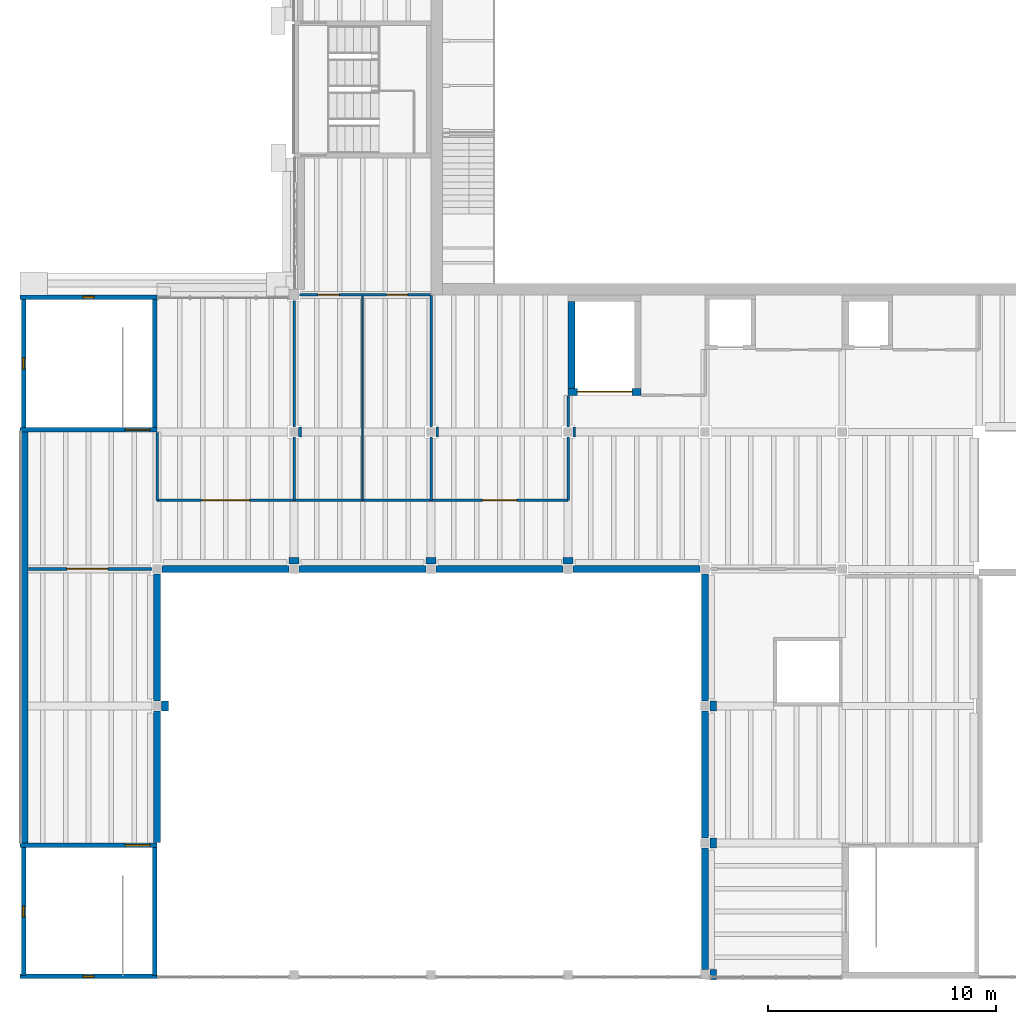
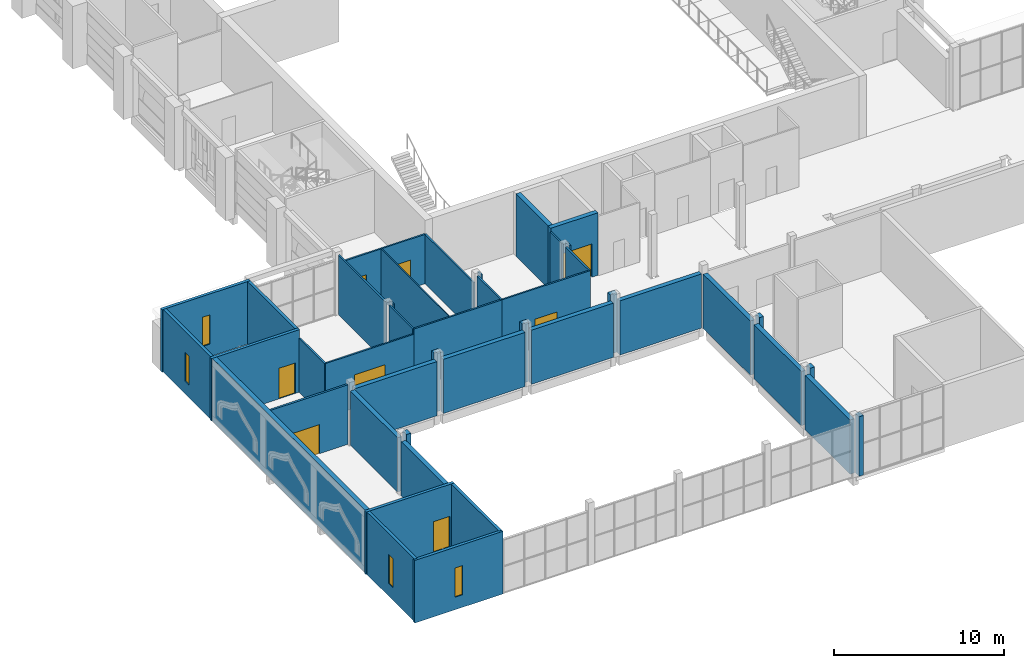
# One storey, part 25 of 70: 43 walls, 8 doors, 4 windows, 12 openings.
"""IFC4 building model written with IfcOpenShell, lengths in metres."""

from ifc_helpers import new_model, si_unit, direction, frame, frame_2d, origin, place, context, subcontext, project, spatial, rectangle, extrude, material, layer, layer_set, type_object, element, fill, save


model = new_model("IFC4")

# Units and contexts
model_context = context("Model", 3, precision=1e-05, world=origin(), true_north=direction((0.0, 1.0)))
body_context = subcontext(model_context, "Body", "Model", "MODEL_VIEW")
ifc_project = project(units=[si_unit("LENGTHUNIT", "METRE"), si_unit("AREAUNIT", "SQUARE_METRE"), si_unit("VOLUMEUNIT", "CUBIC_METRE"), si_unit("PLANEANGLEUNIT", "RADIAN"), si_unit("MASSUNIT", "GRAM", prefix="KILO")], contexts=[model_context])

# Site, building, storey
site_placement = place(None, origin())
site = spatial("IfcSite", under=ifc_project, at=site_placement, CompositionType="ELEMENT")
building_placement = place(site_placement, origin())
building = spatial("IfcBuilding", under=site, at=building_placement, Name="Saffron Lane Theatres", CompositionType="ELEMENT")
storey_placement = place(building_placement, frame((0.0, 0.0, 12.0)))
storey = spatial("IfcBuildingStorey", under=building, at=storey_placement, Name="L02", CompositionType="ELEMENT", Elevation=12.0)

# Walls
ifc_material_1 = material(Name="Acoustic masonry fire wall", Category="masonry")
ifc_layer_1 = layer(ifc_material_1, 0.300048828125)
ifc_layer_set_1 = layer_set([ifc_layer_1], Name="Acoustic masonry fire wall")
wall_type_1 = type_object("IfcWallType", Name="IN-ACOUSTIC FIRE WALL 300", PredefinedType="PARTITIONING", material=ifc_layer_set_1)
for number, where, z_axis, x_axis, name in (
    (1, (24.219970703125, 18.0, 0.0), (0.0, 0.0, 1.0), (1.0, 0.0, 0.0), "PW-L02-086"),
    (2, (18.219970703125, 18.0, 0.0), (0.0, 0.0, 1.0), (1.0, 0.0, 0.0), "PW-L02-087"),
    (3, (12.219970703125, 18.0, 0.0), (0.0, 0.0, 1.0), (1.0, 0.0, 0.0), "PW-L02-088"),
    (4, (6.219970703125, 18.0, 0.0), (0.0, 0.0, 1.0), (1.0, 0.0, 0.0), "PW-L02-089"),
):
    element("IfcWall", number, at=place(storey_placement, frame(where, z_axis=z_axis, x_axis=x_axis)), inside=storey, type_object=wall_type_1, Name=name, PredefinedType="PARTITIONING", context=body_context, shape_type="SweptSolid", body=[
        extrude(rectangle(XDim=5.56005859375, YDim=0.300048828125, at=frame_2d((2.780029296875, 0.0))), origin(), (0.0, 0.0, 1.0), 3.89990234375),
    ])
for number, where, z_axis, x_axis, name in (
    (5, (23.780029296875, 18.35498046875, 0.0), (0.0, 0.0, 1.0), (1.0, 0.0, 0.0), "PW-L02-090"),
    (6, (17.780029296875, 18.35498046875, 0.0), (0.0, 0.0, 1.0), (1.0, 0.0, 0.0), "PW-L02-091"),
    (7, (11.780029296875, 18.35498046875, 0.0), (0.0, 0.0, 1.0), (1.0, 0.0, 0.0), "PW-L02-092"),
):
    element("IfcWall", number, at=place(storey_placement, frame(where, z_axis=z_axis, x_axis=x_axis)), inside=storey, type_object=wall_type_1, Name=name, PredefinedType="PARTITIONING", context=body_context, shape_type="SweptSolid", body=[
        extrude(rectangle(XDim=0.43994140625, YDim=0.300048828125, at=frame_2d((0.219970703125, 0.0))), origin(), (0.0, 0.0, 1.0), 4.280029296875),
    ])
ifc_material_2 = material(Name="Plasterboard")
ifc_layer_2 = layer(ifc_material_2, 0.026, Name="lining")
ifc_material_3 = material(Name="Mineral wool insulation")
ifc_layer_3 = layer(ifc_material_3, 0.087, Name="stud zone")
ifc_material_4 = material(Name="Air cavity", Category="air")
ifc_layer_4 = layer(ifc_material_4, 0.1, ventilated=True, Name="air gap")
ifc_layer_5 = layer(ifc_material_3, 0.061, Name="stud zone")
ifc_layer_6 = layer(ifc_material_2, 0.026, Name="lining")
ifc_layer_set_2 = layer_set([ifc_layer_2, ifc_layer_3, ifc_layer_4, ifc_layer_5, ifc_layer_6], Name="Acoustic plasterboard wall")
wall_type_2 = type_object("IfcWallType", Name="IN-ACOUSTIC WALL 300", PredefinedType="PARTITIONING", material=ifc_layer_set_2)
wall_1_placement = place(storey_placement, frame((6.0, 12.219970703125, 0.0), z_axis=(0.0, 0.0, 1.0), x_axis=(0.0, 1.0, 0.0)))
element("IfcWall", 8, at=wall_1_placement, inside=storey, type_object=wall_type_2, Name="PW-L02-095", PredefinedType="PARTITIONING", context=body_context, shape_type="SweptSolid", body=[
    extrude(rectangle(XDim=5.56005859375, YDim=0.300048828125, at=frame_2d((2.780029296875, 0.0))), origin(), (0.0, 0.0, 1.0), 3.89990234375),
])
wall_2_placement = place(storey_placement, frame((6.0, 6.02001953125, 0.0), z_axis=(0.0, 0.0, 1.0), x_axis=(0.0, 1.0, 0.0)))
element("IfcWall", 9, at=wall_2_placement, inside=storey, type_object=wall_type_2, Name="PW-L02-096", PredefinedType="PARTITIONING", context=body_context, shape_type="SweptSolid", body=[
    extrude(rectangle(XDim=5.760009765625, YDim=0.300048828125, at=frame_2d((2.8798828125, 0.0))), origin(), (0.0, 0.0, 1.0), 3.89990234375),
])
wall_3_placement = place(storey_placement, frame((6.35498046875, 11.780029296875, 0.0), z_axis=(0.0, 0.0, 1.0), x_axis=(0.0, 1.0, 0.0)))
element("IfcWall", 10, at=wall_3_placement, inside=storey, type_object=wall_type_2, Name="PW-L02-097", PredefinedType="PARTITIONING", context=body_context, shape_type="SweptSolid", body=[
    extrude(rectangle(XDim=0.43994140625, YDim=0.300048828125, at=frame_2d((0.219970703125, 0.0))), origin(), (0.0, 0.0, 1.0), 4.280029296875),
])
wall_4_placement = place(storey_placement, frame((30.0, 0.470458984375, 0.0), z_axis=(0.0, 0.0, 1.0), x_axis=(0.0, 1.0, 0.0)))
element("IfcWall", 11, at=wall_4_placement, inside=storey, type_object=wall_type_2, Name="PW-L02-098", PredefinedType="PARTITIONING", context=body_context, shape_type="SweptSolid", body=[
    extrude(rectangle(XDim=5.3095703125, YDim=0.300048828125, at=frame_2d((2.65478515625, 0.0))), origin(), (0.0, 0.0, 1.0), 3.89990234375),
])
for number, where, z_axis, x_axis, name in (
    (12, (30.0, 6.219970703125, 0.0), (0.0, 0.0, 1.0), (0.0, 1.0, 0.0), "PW-L02-099"),
    (13, (30.0, 12.219970703125, 0.0), (0.0, 0.0, 1.0), (0.0, 1.0, 0.0), "PW-L02-100"),
):
    element("IfcWall", number, at=place(storey_placement, frame(where, z_axis=z_axis, x_axis=x_axis)), inside=storey, type_object=wall_type_2, Name=name, PredefinedType="PARTITIONING", context=body_context, shape_type="SweptSolid", body=[
        extrude(rectangle(XDim=5.56005859375, YDim=0.300048828125, at=frame_2d((2.780029296875, 0.0))), origin(), (0.0, 0.0, 1.0), 3.89990234375),
    ])
for number, where, z_axis, x_axis, name in (
    (14, (30.35498046875, 0.030517578125, 0.0), (0.0, 0.0, 1.0), (0.0, 1.0, 0.0), "PW-L02-101"),
    (15, (30.35498046875, 5.780029296875, 0.0), (0.0, 0.0, 1.0), (0.0, 1.0, 0.0), "PW-L02-102"),
    (16, (30.35498046875, 11.780029296875, 0.0), (0.0, 0.0, 1.0), (0.0, 1.0, 0.0), "PW-L02-103"),
):
    element("IfcWall", number, at=place(storey_placement, frame(where, z_axis=z_axis, x_axis=x_axis)), inside=storey, type_object=wall_type_2, Name=name, PredefinedType="PARTITIONING", context=body_context, shape_type="SweptSolid", body=[
        extrude(rectangle(XDim=0.43994140625, YDim=0.300048828125, at=frame_2d((0.219970703125, 0.0))), origin(), (0.0, 0.0, 1.0), 4.280029296875),
    ])

# Wall, openings, doors
ifc_material_5 = material(Name="Masonry block partition", Category="masonry")
ifc_layer_7 = layer(ifc_material_5, 0.110107421875)
ifc_layer_set_3 = layer_set([ifc_layer_7], Name="Masonry block partition")
wall_type_3 = type_object("IfcWallType", Name="IN-BLOCK PARTITION 110", PredefinedType="PARTITIONING", material=ifc_layer_set_3)
wall_5_placement = place(storey_placement, frame((12.2451171875, 30.0, 0.0), z_axis=(0.0, 0.0, 1.0), x_axis=(1.0, 0.0, 0.0)))
wall_5 = element("IfcWall", 17, at=wall_5_placement, inside=storey, type_object=wall_type_3, Name="PW-L02-001", PredefinedType="PARTITIONING", context=body_context, shape_type="SweptSolid", body=[
    extrude(rectangle(XDim=5.73486328125, YDim=0.110107421875, at=frame_2d((2.867431640625, 0.0))), origin(), (0.0, 0.0, 1.0), 3.550048828125),
])
opening_1_placement = place(wall_5_placement, frame((0.804931640625, 0.0, 0.0)))
opening_1 = element("IfcOpeningElement", 18, at=opening_1_placement, cuts=wall_5, Name="Opening D02-12", PredefinedType="OPENING", context=body_context, shape_type="SweptSolid", body=[
    extrude(rectangle(XDim=0.919921875, YDim=2.0400390625, at=frame_2d((0.4599609375, 1.02001953125))), frame((0.0, 0.06494140625, 0.0), z_axis=(0.0, -1.0, 0.0), x_axis=(1.0, 0.0, 0.0)), (0.0, 0.0, 1.0), 0.130126953125),
])
opening_2_placement = place(wall_5_placement, frame((3.804931640625, 0.0, 0.0)))
opening_2 = element("IfcOpeningElement", 19, at=opening_2_placement, cuts=wall_5, Name="Opening D02-13", PredefinedType="OPENING", context=body_context, shape_type="SweptSolid", body=[
    extrude(rectangle(XDim=0.919921875, YDim=2.0400390625, at=frame_2d((0.4599609375, 1.02001953125))), frame((0.0, 0.06494140625, 0.0), z_axis=(0.0, -1.0, 0.0), x_axis=(1.0, 0.0, 0.0)), (0.0, 0.0, 1.0), 0.130126953125),
])
ifc_material_6 = material(Name="Steel faced fire door leaf", Category="steel")
door_type_1 = type_object("IfcDoorType", Name="IN-DOOR 920x2040 FD60", OperationType="NOTDEFINED", PredefinedType="DOOR", material=ifc_material_6)
door_1_placement = place(opening_1_placement, frame((0.919921875, 0.0, 0.0), z_axis=(0.0, 0.0, 1.0), x_axis=(-1.0, 0.0, 0.0)))
door_1 = element("IfcDoor", 20, at=door_1_placement, inside=storey, type_object=door_type_1, Name="D02-12", OperationType="SINGLE_SWING_RIGHT", OverallHeight=2.0400390625, OverallWidth=0.919921875, PredefinedType="DOOR", context=body_context, shape_type="SweptSolid", body=[
    extrude(rectangle(XDim=0.919921875, YDim=2.0400390625, at=frame_2d((0.4599609375, 1.02001953125))), frame((0.0, 0.02490234375, 0.0), z_axis=(0.0, -1.0, 0.0), x_axis=(1.0, 0.0, 0.0)), (0.0, 0.0, 1.0), 0.050048828125),
])
fill(opening_1, door_1)
door_2_placement = place(opening_2_placement, frame((0.919921875, 0.0, 0.0), z_axis=(0.0, 0.0, 1.0), x_axis=(-1.0, 0.0, 0.0)))
door_2 = element("IfcDoor", 21, at=door_2_placement, inside=storey, type_object=door_type_1, Name="D02-13", OperationType="SINGLE_SWING_RIGHT", OverallHeight=2.0400390625, OverallWidth=0.919921875, PredefinedType="DOOR", context=body_context, shape_type="SweptSolid", body=[
    extrude(rectangle(XDim=0.919921875, YDim=2.0400390625, at=frame_2d((0.4599609375, 1.02001953125))), frame((0.0, 0.02490234375, 0.0), z_axis=(0.0, -1.0, 0.0), x_axis=(1.0, 0.0, 0.0)), (0.0, 0.0, 1.0), 0.050048828125),
])
fill(opening_2, door_2)

# Wall
wall_6_placement = place(storey_placement, frame((6.0, 21.0, 0.0), z_axis=(0.0, 0.0, 1.0), x_axis=(0.0, 1.0, 0.0)))
element("IfcWall", 22, at=wall_6_placement, inside=storey, type_object=wall_type_3, Name="PW-L02-018", PredefinedType="PARTITIONING", context=body_context, shape_type="SweptSolid", body=[
    extrude(rectangle(XDim=2.97998046875, YDim=0.110107421875, at=frame_2d((1.489990234375, 0.0))), origin(), (0.0, 0.0, 1.0), 3.89990234375),
])

# Wall, opening, door
wall_7_placement = place(storey_placement, frame((6.0, 21.0, 0.0), z_axis=(0.0, 0.0, 1.0), x_axis=(1.0, 0.0, 0.0)))
wall_7 = element("IfcWall", 23, at=wall_7_placement, inside=storey, type_object=wall_type_3, Name="PW-L02-019", PredefinedType="PARTITIONING", context=body_context, shape_type="SweptSolid", body=[
    extrude(rectangle(XDim=6.0, YDim=0.110107421875, at=frame_2d((3.0, 0.0))), origin(), (0.0, 0.0, 1.0), 3.89990234375),
])
opening_3_placement = place(wall_7_placement, frame((1.949951171875, 0.0, 0.0)))
opening_3 = element("IfcOpeningElement", 24, at=opening_3_placement, cuts=wall_7, Name="Opening D02-11", PredefinedType="OPENING", context=body_context, shape_type="SweptSolid", body=[
    extrude(rectangle(XDim=2.10009765625, YDim=2.39990234375, at=frame_2d((1.050048828125, 1.199951171875))), frame((0.0, 0.06494140625, 0.0), z_axis=(0.0, -1.0, 0.0), x_axis=(1.0, 0.0, 0.0)), (0.0, 0.0, 1.0), 0.130126953125),
])
ifc_material_7 = material(Name="Steel faced fire door leaf", Category="steel")
door_type_2 = type_object("IfcDoorType", Name="IN-DOOR 2100x2400 FD60", OperationType="DOUBLE_DOOR_SINGLE_SWING", PredefinedType="DOOR", material=ifc_material_7)
door_3_placement = place(opening_3_placement, origin())
door_3 = element("IfcDoor", 25, at=door_3_placement, inside=storey, type_object=door_type_2, Name="D02-11", OperationType="DOUBLE_DOOR_SINGLE_SWING", OverallHeight=2.39990234375, OverallWidth=2.10009765625, PredefinedType="DOOR", context=body_context, shape_type="SweptSolid", body=[
    extrude(rectangle(XDim=2.10009765625, YDim=2.39990234375, at=frame_2d((1.050048828125, 1.199951171875))), frame((0.0, 0.02490234375, 0.0), z_axis=(0.0, -1.0, 0.0), x_axis=(1.0, 0.0, 0.0)), (0.0, 0.0, 1.0), 0.050048828125),
])
fill(opening_3, door_3)

# Walls
wall_8_placement = place(storey_placement, frame((12.0, 21.0, 0.0), z_axis=(0.0, 0.0, 1.0), x_axis=(1.0, 0.0, 0.0)))
element("IfcWall", 26, at=wall_8_placement, inside=storey, type_object=wall_type_3, Name="PW-L02-020", PredefinedType="PARTITIONING", context=body_context, shape_type="SweptSolid", body=[
    extrude(rectangle(XDim=6.0, YDim=0.110107421875, at=frame_2d((3.0, 0.0))), origin(), (0.0, 0.0, 1.0), 4.280029296875),
])
wall_9_placement = place(storey_placement, frame((12.0, 24.219970703125, 0.0), z_axis=(0.0, 0.0, 1.0), x_axis=(0.0, 1.0, 0.0)))
element("IfcWall", 27, at=wall_9_placement, inside=storey, type_object=wall_type_3, Name="PW-L02-021", PredefinedType="PARTITIONING", context=body_context, shape_type="SweptSolid", body=[
    extrude(rectangle(XDim=5.534912109375, YDim=0.110107421875, at=frame_2d((2.767578125, 0.0))), origin(), (0.0, 0.0, 1.0), 4.280029296875),
])
wall_10_placement = place(storey_placement, frame((12.0, 21.0, 0.0), z_axis=(0.0, 0.0, 1.0), x_axis=(0.0, 1.0, 0.0)))
element("IfcWall", 28, at=wall_10_placement, inside=storey, type_object=wall_type_3, Name="PW-L02-022", PredefinedType="PARTITIONING", context=body_context, shape_type="SweptSolid", body=[
    extrude(rectangle(XDim=2.780029296875, YDim=0.110107421875, at=frame_2d((1.39013671875, 0.0))), origin(), (0.0, 0.0, 1.0), 4.280029296875),
])
wall_11_placement = place(storey_placement, frame((12.260009765625, 23.780029296875, 0.0), z_axis=(0.0, 0.0, 1.0), x_axis=(0.0, 1.0, 0.0)))
element("IfcWall", 29, at=wall_11_placement, inside=storey, type_object=wall_type_3, Name="PW-L02-023", PredefinedType="PARTITIONING", context=body_context, shape_type="SweptSolid", body=[
    extrude(rectangle(XDim=0.43994140625, YDim=0.110107421875, at=frame_2d((0.219970703125, 0.0))), origin(), (0.0, 0.0, 1.0), 4.280029296875),
])

# Wall, opening, door
wall_12_placement = place(storey_placement, frame((18.0, 21.0, 0.0), z_axis=(0.0, 0.0, 1.0), x_axis=(1.0, 0.0, 0.0)))
wall_12 = element("IfcWall", 30, at=wall_12_placement, inside=storey, type_object=wall_type_3, Name="PW-L02-024", PredefinedType="PARTITIONING", context=body_context, shape_type="SweptSolid", body=[
    extrude(rectangle(XDim=6.0, YDim=0.110107421875, at=frame_2d((3.0, 0.0))), origin(), (0.0, 0.0, 1.0), 4.280029296875),
])
opening_4_placement = place(wall_12_placement, frame((2.25, 0.0, 0.0)))
opening_4 = element("IfcOpeningElement", 31, at=opening_4_placement, cuts=wall_12, Name="Opening D02-14", PredefinedType="OPENING", context=body_context, shape_type="SweptSolid", body=[
    extrude(rectangle(XDim=1.5, YDim=2.10009765625, at=frame_2d((0.75, 1.050048828125))), frame((0.0, 0.06494140625, 0.0), z_axis=(0.0, -1.0, 0.0), x_axis=(1.0, 0.0, 0.0)), (0.0, 0.0, 1.0), 0.130126953125),
])
ifc_material_8 = material(Name="Steel faced fire door leaf", Category="steel")
door_type_3 = type_object("IfcDoorType", Name="IN-DOOR 1500x2100 FD60", OperationType="DOUBLE_DOOR_SINGLE_SWING", PredefinedType="DOOR", material=ifc_material_8)
door_4_placement = place(opening_4_placement, origin())
door_4 = element("IfcDoor", 32, at=door_4_placement, inside=storey, type_object=door_type_3, Name="D02-14", OperationType="DOUBLE_DOOR_SINGLE_SWING", OverallHeight=2.10009765625, OverallWidth=1.5, PredefinedType="DOOR", context=body_context, shape_type="SweptSolid", body=[
    extrude(rectangle(XDim=1.5, YDim=2.10009765625, at=frame_2d((0.75, 1.050048828125))), frame((0.0, 0.02490234375, 0.0), z_axis=(0.0, -1.0, 0.0), x_axis=(1.0, 0.0, 0.0)), (0.0, 0.0, 1.0), 0.050048828125),
])
fill(opening_4, door_4)

# Walls
wall_13_placement = place(storey_placement, frame((24.0, 21.0, 0.0), z_axis=(0.0, 0.0, 1.0), x_axis=(0.0, 1.0, 0.0)))
element("IfcWall", 33, at=wall_13_placement, inside=storey, type_object=wall_type_3, Name="PW-L02-025", PredefinedType="PARTITIONING", context=body_context, shape_type="SweptSolid", body=[
    extrude(rectangle(XDim=2.780029296875, YDim=0.110107421875, at=frame_2d((1.39013671875, 0.0))), origin(), (0.0, 0.0, 1.0), 4.280029296875),
])
wall_14_placement = place(storey_placement, frame((24.0, 24.219970703125, 0.0), z_axis=(0.0, 0.0, 1.0), x_axis=(0.0, 1.0, 0.0)))
element("IfcWall", 34, at=wall_14_placement, inside=storey, type_object=wall_type_3, Name="PW-L02-026", PredefinedType="PARTITIONING", context=body_context, shape_type="SweptSolid", body=[
    extrude(rectangle(XDim=1.360107421875, YDim=0.110107421875, at=frame_2d((0.68017578125, 0.0))), origin(), (0.0, 0.0, 1.0), 4.280029296875),
])
wall_15_placement = place(storey_placement, frame((24.260009765625, 23.780029296875, 0.0), z_axis=(0.0, 0.0, 1.0), x_axis=(0.0, 1.0, 0.0)))
element("IfcWall", 35, at=wall_15_placement, inside=storey, type_object=wall_type_3, Name="PW-L02-027", PredefinedType="PARTITIONING", context=body_context, shape_type="SweptSolid", body=[
    extrude(rectangle(XDim=0.43994140625, YDim=0.110107421875, at=frame_2d((0.219970703125, 0.0))), origin(), (0.0, 0.0, 1.0), 4.280029296875),
])
wall_16_placement = place(storey_placement, frame((18.0, 24.219970703125, 0.0), z_axis=(0.0, 0.0, 1.0), x_axis=(0.0, 1.0, 0.0)))
element("IfcWall", 36, at=wall_16_placement, inside=storey, type_object=wall_type_3, Name="PW-L02-028", PredefinedType="PARTITIONING", context=body_context, shape_type="SweptSolid", body=[
    extrude(rectangle(XDim=5.760009765625, YDim=0.110107421875, at=frame_2d((2.8798828125, 0.0))), origin(), (0.0, 0.0, 1.0), 3.550048828125),
])
wall_17_placement = place(storey_placement, frame((18.0, 21.0, 0.0), z_axis=(0.0, 0.0, 1.0), x_axis=(0.0, 1.0, 0.0)))
element("IfcWall", 37, at=wall_17_placement, inside=storey, type_object=wall_type_3, Name="PW-L02-029", PredefinedType="PARTITIONING", context=body_context, shape_type="SweptSolid", body=[
    extrude(rectangle(XDim=2.780029296875, YDim=0.110107421875, at=frame_2d((1.39013671875, 0.0))), origin(), (0.0, 0.0, 1.0), 4.280029296875),
])
wall_18_placement = place(storey_placement, frame((18.260009765625, 23.780029296875, 0.0), z_axis=(0.0, 0.0, 1.0), x_axis=(0.0, 1.0, 0.0)))
element("IfcWall", 38, at=wall_18_placement, inside=storey, type_object=wall_type_3, Name="PW-L02-030", PredefinedType="PARTITIONING", context=body_context, shape_type="SweptSolid", body=[
    extrude(rectangle(XDim=0.43994140625, YDim=0.110107421875, at=frame_2d((0.219970703125, 0.0))), origin(), (0.0, 0.0, 1.0), 4.280029296875),
])

# Wall, opening, door
ifc_material_9 = material(Name="Masonry block partition", Category="masonry")
ifc_layer_8 = layer(ifc_material_9, 0.139892578125)
ifc_layer_set_4 = layer_set([ifc_layer_8], Name="Masonry block partition")
wall_type_4 = type_object("IfcWallType", Name="IN-BLOCK PARTITION 140", PredefinedType="PARTITIONING", material=ifc_layer_set_4)
wall_19_placement = place(storey_placement, frame((0.3798828125, 18.0, 0.0), z_axis=(0.0, 0.0, 1.0), x_axis=(1.0, 0.0, 0.0)))
wall_19 = element("IfcWall", 39, at=wall_19_placement, inside=storey, type_object=wall_type_4, Name="PW-L02-049", PredefinedType="PARTITIONING", context=body_context, shape_type="SweptSolid", body=[
    extrude(rectangle(XDim=5.400146484375, YDim=0.139892578125, at=frame_2d((2.7001953125, 0.0))), origin(), (0.0, 0.0, 1.0), 4.280029296875),
])
opening_5_placement = place(wall_19_placement, frame((1.669921875, 0.0, 0.0)))
opening_5 = element("IfcOpeningElement", 40, at=opening_5_placement, cuts=wall_19, Name="Opening D02-50", PredefinedType="OPENING", context=body_context, shape_type="SweptSolid", body=[
    extrude(rectangle(XDim=1.800048828125, YDim=2.10009765625, at=frame_2d((0.89990234375, 1.050048828125))), frame((0.0, 0.080078125, 0.0), z_axis=(0.0, -1.0, 0.0), x_axis=(1.0, 0.0, 0.0)), (0.0, 0.0, 1.0), 0.159912109375),
])
ifc_material_10 = material(Name="Steel faced fire door leaf", Category="steel")
door_type_4 = type_object("IfcDoorType", Name="IN-DOOR 1800x2100 FD120", OperationType="DOUBLE_DOOR_SINGLE_SWING", PredefinedType="DOOR", material=ifc_material_10)
door_5_placement = place(opening_5_placement, frame((1.800048828125, 0.0, 0.0), z_axis=(0.0, 0.0, 1.0), x_axis=(-1.0, 0.0, 0.0)))
door_5 = element("IfcDoor", 41, at=door_5_placement, inside=storey, type_object=door_type_4, Name="D02-50", OperationType="DOUBLE_DOOR_SINGLE_SWING", OverallHeight=2.10009765625, OverallWidth=1.800048828125, PredefinedType="DOOR", context=body_context, shape_type="SweptSolid", body=[
    extrude(rectangle(XDim=1.800048828125, YDim=2.10009765625, at=frame_2d((0.89990234375, 1.050048828125))), frame((0.0, 0.02490234375, 0.0), z_axis=(0.0, -1.0, 0.0), x_axis=(1.0, 0.0, 0.0)), (0.0, 0.0, 1.0), 0.050048828125),
])
fill(opening_5, door_5)

# Wall
ifc_material_11 = material(Name="Plasterboard on 70 mm steel studs", Category="steel")
ifc_layer_9 = layer(ifc_material_11, 0.070068359375)
ifc_layer_set_5 = layer_set([ifc_layer_9], Name="Plasterboard on 70 mm steel studs")
wall_type_5 = type_object("IfcWallType", Name="IN-STUD PARTITION 070", PredefinedType="PARTITIONING", material=ifc_layer_set_5)
wall_20_placement = place(storey_placement, frame((15.0, 21.0, 0.0), z_axis=(0.0, 0.0, 1.0), x_axis=(0.0, 1.0, 0.0)))
element("IfcWall", 42, at=wall_20_placement, inside=storey, type_object=wall_type_5, Name="PW-L02-054", PredefinedType="PARTITIONING", context=body_context, shape_type="SweptSolid", body=[
    extrude(rectangle(XDim=9.0, YDim=0.070068359375, at=frame_2d((4.5, 0.0))), origin(), (0.0, 0.0, 1.0), 3.550048828125),
])

# Wall, opening, door
ifc_material_12 = material(Name="Concrete N50 (50 MPa)", Category="concrete")
ifc_layer_10 = layer(ifc_material_12, 0.199951171875)
ifc_layer_set_6 = layer_set([ifc_layer_10], Name="Concrete N50 (50 MPa)")
wall_type_6 = type_object("IfcWallType", Name="RC-CORE 200", PredefinedType="SHEAR", material=ifc_layer_set_6)
wall_21_placement = place(storey_placement, frame((0.0, 5.89990234375, 0.0), z_axis=(0.0, 0.0, 1.0), x_axis=(1.0, 0.0, 0.0)))
wall_21 = element("IfcWall", 43, at=wall_21_placement, inside=storey, type_object=wall_type_6, Name="W-ST7-N-L02", PredefinedType="SHEAR", context=body_context, shape_type="SweptSolid", body=[
    extrude(rectangle(XDim=6.0, YDim=0.199951171875, at=frame_2d((3.0, 0.0))), origin(), (0.0, 0.0, 1.0), 4.5),
])
opening_6_placement = place(wall_21_placement, frame((4.60009765625, 0.0, 0.0)))
opening_6 = element("IfcOpeningElement", 44, at=opening_6_placement, cuts=wall_21, Name="Opening D02-26", PredefinedType="OPENING", context=body_context, shape_type="SweptSolid", body=[
    extrude(rectangle(XDim=1.10009765625, YDim=2.199951171875, at=frame_2d((0.550048828125, 1.10009765625))), frame((0.0, 0.10986328125, 0.0), z_axis=(0.0, -1.0, 0.0), x_axis=(1.0, 0.0, 0.0)), (0.0, 0.0, 1.0), 0.219970703125),
])
ifc_material_13 = material(Name="Steel faced fire door leaf", Category="steel")
door_type_5 = type_object("IfcDoorType", Name="IN-DOOR 1100x2200 FD120", OperationType="NOTDEFINED", PredefinedType="DOOR", material=ifc_material_13)
door_6_placement = place(opening_6_placement, frame((1.10009765625, 0.0, 0.0), z_axis=(0.0, 0.0, 1.0), x_axis=(-1.0, 0.0, 0.0)))
door_6 = element("IfcDoor", 45, at=door_6_placement, inside=storey, type_object=door_type_5, Name="D02-26", OperationType="SINGLE_SWING_RIGHT", OverallHeight=2.199951171875, OverallWidth=1.10009765625, PredefinedType="DOOR", context=body_context, shape_type="SweptSolid", body=[
    extrude(rectangle(XDim=1.10009765625, YDim=2.199951171875, at=frame_2d((0.550048828125, 1.10009765625))), frame((0.0, 0.02490234375, 0.0), z_axis=(0.0, -1.0, 0.0), x_axis=(1.0, 0.0, 0.0)), (0.0, 0.0, 1.0), 0.050048828125),
])
fill(opening_6, door_6)

# Wall
wall_22_placement = place(storey_placement, frame((5.89990234375, 0.199951171875, 0.0), z_axis=(0.0, 0.0, 1.0), x_axis=(0.0, 1.0, 0.0)))
element("IfcWall", 46, at=wall_22_placement, inside=storey, type_object=wall_type_6, Name="W-ST7-E-L02", PredefinedType="SHEAR", context=body_context, shape_type="SweptSolid", body=[
    extrude(rectangle(XDim=5.60009765625, YDim=0.199951171875, at=frame_2d((2.800048828125, 0.0))), origin(), (0.0, 0.0, 1.0), 4.5),
])

# Wall, opening, door
wall_23_placement = place(storey_placement, frame((0.0, 24.10009765625, 0.0), z_axis=(0.0, 0.0, 1.0), x_axis=(1.0, 0.0, 0.0)))
wall_23 = element("IfcWall", 47, at=wall_23_placement, inside=storey, type_object=wall_type_6, Name="W-ST12-S-L02", PredefinedType="SHEAR", context=body_context, shape_type="SweptSolid", body=[
    extrude(rectangle(XDim=6.0, YDim=0.199951171875, at=frame_2d((3.0, 0.0))), origin(), (0.0, 0.0, 1.0), 4.5),
])
opening_7_placement = place(wall_23_placement, frame((4.60009765625, 0.0, 0.0)))
opening_7 = element("IfcOpeningElement", 48, at=opening_7_placement, cuts=wall_23, Name="Opening D02-29", PredefinedType="OPENING", context=body_context, shape_type="SweptSolid", body=[
    extrude(rectangle(XDim=1.10009765625, YDim=2.199951171875, at=frame_2d((0.550048828125, 1.10009765625))), frame((0.0, 0.10986328125, 0.0), z_axis=(0.0, -1.0, 0.0), x_axis=(1.0, 0.0, 0.0)), (0.0, 0.0, 1.0), 0.219970703125),
])
door_7_placement = place(opening_7_placement, origin())
door_7 = element("IfcDoor", 49, at=door_7_placement, inside=storey, type_object=door_type_5, Name="D02-29", OperationType="SINGLE_SWING_LEFT", OverallHeight=2.199951171875, OverallWidth=1.10009765625, PredefinedType="DOOR", context=body_context, shape_type="SweptSolid", body=[
    extrude(rectangle(XDim=1.10009765625, YDim=2.199951171875, at=frame_2d((0.550048828125, 1.10009765625))), frame((0.0, 0.02490234375, 0.0), z_axis=(0.0, -1.0, 0.0), x_axis=(1.0, 0.0, 0.0)), (0.0, 0.0, 1.0), 0.050048828125),
])
fill(opening_7, door_7)

# Wall
wall_24_placement = place(storey_placement, frame((5.89990234375, 24.199951171875, 0.0), z_axis=(0.0, 0.0, 1.0), x_axis=(0.0, 1.0, 0.0)))
element("IfcWall", 50, at=wall_24_placement, inside=storey, type_object=wall_type_6, Name="W-ST12-E-L02", PredefinedType="SHEAR", context=body_context, shape_type="SweptSolid", body=[
    extrude(rectangle(XDim=5.60009765625, YDim=0.199951171875, at=frame_2d((2.800048828125, 0.0))), origin(), (0.0, 0.0, 1.0), 4.5),
])

# Wall, opening, door
ifc_material_14 = material(Name="Concrete N50 (50 MPa)", Category="concrete")
ifc_layer_11 = layer(ifc_material_14, 0.300048828125)
ifc_layer_set_7 = layer_set([ifc_layer_11], Name="Concrete N50 (50 MPa)")
wall_type_7 = type_object("IfcWallType", Name="RC-CORE 300", PredefinedType="SHEAR", material=ifc_layer_set_7)
wall_25_placement = place(storey_placement, frame((24.0, 25.75, 0.0), z_axis=(0.0, 0.0, 1.0), x_axis=(1.0, 0.0, 0.0)))
wall_25 = element("IfcWall", 51, at=wall_25_placement, inside=storey, type_object=wall_type_7, Name="W-LG1-S-L02", PredefinedType="SHEAR", context=body_context, shape_type="SweptSolid", body=[
    extrude(rectangle(XDim=3.199951171875, YDim=0.300048828125, at=frame_2d((1.60009765625, 0.0))), origin(), (0.0, 0.0, 1.0), 4.5),
])
opening_8_placement = place(wall_25_placement, frame((0.39990234375, 0.0, 0.0)))
opening_8 = element("IfcOpeningElement", 52, at=opening_8_placement, cuts=wall_25, Name="Opening LD31", PredefinedType="OPENING", context=body_context, shape_type="SweptSolid", body=[
    extrude(rectangle(XDim=2.39990234375, YDim=2.39990234375, at=frame_2d((1.199951171875, 1.199951171875))), frame((0.0, 0.16015625, 0.0), z_axis=(0.0, -1.0, 0.0), x_axis=(1.0, 0.0, 0.0)), (0.0, 0.0, 1.0), 0.320068359375),
])
ifc_material_15 = material(Name="Stainless steel 316", Category="steel")
door_type_6 = type_object("IfcDoorType", Name="VC-LANDING DOOR 2400x2400", OperationType="DOUBLE_DOOR_SLIDING", PredefinedType="DOOR", material=ifc_material_15)
door_8_placement = place(opening_8_placement, origin())
door_8 = element("IfcDoor", 53, at=door_8_placement, inside=storey, type_object=door_type_6, Name="Landing doors LG1 L02", OperationType="DOUBLE_DOOR_SLIDING", OverallHeight=2.39990234375, OverallWidth=2.39990234375, PredefinedType="DOOR", context=body_context, shape_type="SweptSolid", body=[
    extrude(rectangle(XDim=2.39990234375, YDim=2.39990234375, at=frame_2d((1.199951171875, 1.199951171875))), frame((0.0, 0.02490234375, 0.0), z_axis=(0.0, -1.0, 0.0), x_axis=(1.0, 0.0, 0.0)), (0.0, 0.0, 1.0), 0.050048828125),
])
fill(opening_8, door_8)

# Wall
wall_26_placement = place(storey_placement, frame((24.14990234375, 25.89990234375, 0.0), z_axis=(0.0, 0.0, 1.0), x_axis=(0.0, 1.0, 0.0)))
element("IfcWall", 54, at=wall_26_placement, inside=storey, type_object=wall_type_7, Name="W-LG1-W-L02", PredefinedType="SHEAR", context=body_context, shape_type="SweptSolid", body=[
    extrude(rectangle(XDim=3.800048828125, YDim=0.300048828125, at=frame_2d((1.89990234375, 0.0))), origin(), (0.0, 0.0, 1.0), 4.5),
])

# Wall, opening, window
ifc_material_16 = material(Name="Concrete N50 (50 MPa)", Category="concrete")
ifc_layer_12 = layer(ifc_material_16, 0.199951171875)
ifc_layer_set_8 = layer_set([ifc_layer_12], Name="Concrete N50 (50 MPa)")
wall_type_8 = type_object("IfcWallType", Name="RC-CORE EXTERNAL 200", PredefinedType="SHEAR", material=ifc_layer_set_8)
wall_27_placement = place(storey_placement, frame((0.0, 0.159912109375, 0.0), z_axis=(0.0, 0.0, 1.0), x_axis=(1.0, 0.0, 0.0)))
wall_27 = element("IfcWall", 55, at=wall_27_placement, inside=storey, type_object=wall_type_8, Name="W-ST7-S-L02", PredefinedType="SHEAR", context=body_context, shape_type="SweptSolid", body=[
    extrude(rectangle(XDim=6.0, YDim=0.199951171875, at=frame_2d((3.0, 0.0))), origin(), (0.0, 0.0, 1.0), 4.5),
])
opening_9_placement = place(wall_27_placement, frame((2.75, 0.0, 0.89990234375)))
opening_9 = element("IfcOpeningElement", 56, at=opening_9_placement, cuts=wall_27, Name="Opening WN02-031", PredefinedType="OPENING", context=body_context, shape_type="SweptSolid", body=[
    extrude(rectangle(XDim=0.5, YDim=2.10009765625, at=frame_2d((0.25, 1.050048828125))), frame((0.0, 0.10986328125, 0.0), z_axis=(0.0, -1.0, 0.0), x_axis=(1.0, 0.0, 0.0)), (0.0, 0.0, 1.0), 0.219970703125),
])
ifc_material_17 = material(Name="Aluminium", Category="aluminium")
window_type = type_object("IfcWindowType", Name="EX-WINDOW 500x2100", PartitioningType="SINGLE_PANEL", PredefinedType="WINDOW", material=ifc_material_17)
window_1_placement = place(opening_9_placement, origin())
window_1 = element("IfcWindow", 57, at=window_1_placement, inside=storey, type_object=window_type, Name="Stair light ST7 L02", OverallHeight=2.10009765625, OverallWidth=0.5, PartitioningType="SINGLE_PANEL", PredefinedType="WINDOW", context=body_context, shape_type="SweptSolid", body=[
    extrude(rectangle(XDim=0.5, YDim=2.10009765625, at=frame_2d((0.25, 1.050048828125))), frame((0.0, 0.030029296875, 0.0), z_axis=(0.0, -1.0, 0.0), x_axis=(1.0, 0.0, 0.0)), (0.0, 0.0, 1.0), 0.06005859375),
])
fill(opening_9, window_1)

wall_28_placement = place(storey_placement, frame((0.159912109375, 0.199951171875, 0.0), z_axis=(0.0, 0.0, 1.0), x_axis=(0.0, 1.0, 0.0)))
wall_28 = element("IfcWall", 58, at=wall_28_placement, inside=storey, type_object=wall_type_8, Name="W-ST7-W-L02", PredefinedType="SHEAR", context=body_context, shape_type="SweptSolid", body=[
    extrude(rectangle(XDim=5.60009765625, YDim=0.199951171875, at=frame_2d((2.800048828125, 0.0))), origin(), (0.0, 0.0, 1.0), 4.5),
])
opening_10_placement = place(wall_28_placement, frame((2.550048828125, 0.0, 0.89990234375)))
opening_10 = element("IfcOpeningElement", 59, at=opening_10_placement, cuts=wall_28, Name="Opening WN02-032", PredefinedType="OPENING", context=body_context, shape_type="SweptSolid", body=[
    extrude(rectangle(XDim=0.5, YDim=2.10009765625, at=frame_2d((0.25, 1.050048828125))), frame((0.0, 0.10986328125, 0.0), z_axis=(0.0, -1.0, 0.0), x_axis=(1.0, 0.0, 0.0)), (0.0, 0.0, 1.0), 0.219970703125),
])
window_2_placement = place(opening_10_placement, origin())
window_2 = element("IfcWindow", 60, at=window_2_placement, inside=storey, type_object=window_type, Name="Stair light ST7 L02", OverallHeight=2.10009765625, OverallWidth=0.5, PartitioningType="SINGLE_PANEL", PredefinedType="WINDOW", context=body_context, shape_type="SweptSolid", body=[
    extrude(rectangle(XDim=0.5, YDim=2.10009765625, at=frame_2d((0.25, 1.050048828125))), frame((0.0, 0.030029296875, 0.0), z_axis=(0.0, -1.0, 0.0), x_axis=(1.0, 0.0, 0.0)), (0.0, 0.0, 1.0), 0.06005859375),
])
fill(opening_10, window_2)

wall_29_placement = place(storey_placement, frame((0.0, 29.89990234375, 0.0), z_axis=(0.0, 0.0, 1.0), x_axis=(1.0, 0.0, 0.0)))
wall_29 = element("IfcWall", 61, at=wall_29_placement, inside=storey, type_object=wall_type_8, Name="W-ST12-N-L02", PredefinedType="SHEAR", context=body_context, shape_type="SweptSolid", body=[
    extrude(rectangle(XDim=6.0, YDim=0.199951171875, at=frame_2d((3.0, 0.0))), origin(), (0.0, 0.0, 1.0), 4.5),
])
opening_11_placement = place(wall_29_placement, frame((2.75, 0.0, 0.89990234375)))
opening_11 = element("IfcOpeningElement", 62, at=opening_11_placement, cuts=wall_29, Name="Opening WN02-033", PredefinedType="OPENING", context=body_context, shape_type="SweptSolid", body=[
    extrude(rectangle(XDim=0.5, YDim=2.10009765625, at=frame_2d((0.25, 1.050048828125))), frame((0.0, 0.10986328125, 0.0), z_axis=(0.0, -1.0, 0.0), x_axis=(1.0, 0.0, 0.0)), (0.0, 0.0, 1.0), 0.219970703125),
])
window_3_placement = place(opening_11_placement, origin())
window_3 = element("IfcWindow", 63, at=window_3_placement, inside=storey, type_object=window_type, Name="Stair light ST12 L02", OverallHeight=2.10009765625, OverallWidth=0.5, PartitioningType="SINGLE_PANEL", PredefinedType="WINDOW", context=body_context, shape_type="SweptSolid", body=[
    extrude(rectangle(XDim=0.5, YDim=2.10009765625, at=frame_2d((0.25, 1.050048828125))), frame((0.0, 0.030029296875, 0.0), z_axis=(0.0, -1.0, 0.0), x_axis=(1.0, 0.0, 0.0)), (0.0, 0.0, 1.0), 0.06005859375),
])
fill(opening_11, window_3)

wall_30_placement = place(storey_placement, frame((0.159912109375, 24.199951171875, 0.0), z_axis=(0.0, 0.0, 1.0), x_axis=(0.0, 1.0, 0.0)))
wall_30 = element("IfcWall", 64, at=wall_30_placement, inside=storey, type_object=wall_type_8, Name="W-ST12-W-L02", PredefinedType="SHEAR", context=body_context, shape_type="SweptSolid", body=[
    extrude(rectangle(XDim=5.60009765625, YDim=0.199951171875, at=frame_2d((2.800048828125, 0.0))), origin(), (0.0, 0.0, 1.0), 4.5),
])
opening_12_placement = place(wall_30_placement, frame((2.550048828125, 0.0, 0.89990234375)))
opening_12 = element("IfcOpeningElement", 65, at=opening_12_placement, cuts=wall_30, Name="Opening WN02-034", PredefinedType="OPENING", context=body_context, shape_type="SweptSolid", body=[
    extrude(rectangle(XDim=0.5, YDim=2.10009765625, at=frame_2d((0.25, 1.050048828125))), frame((0.0, 0.10986328125, 0.0), z_axis=(0.0, -1.0, 0.0), x_axis=(1.0, 0.0, 0.0)), (0.0, 0.0, 1.0), 0.219970703125),
])
window_4_placement = place(opening_12_placement, origin())
window_4 = element("IfcWindow", 66, at=window_4_placement, inside=storey, type_object=window_type, Name="Stair light ST12 L02", OverallHeight=2.10009765625, OverallWidth=0.5, PartitioningType="SINGLE_PANEL", PredefinedType="WINDOW", context=body_context, shape_type="SweptSolid", body=[
    extrude(rectangle(XDim=0.5, YDim=2.10009765625, at=frame_2d((0.25, 1.050048828125))), frame((0.0, 0.030029296875, 0.0), z_axis=(0.0, -1.0, 0.0), x_axis=(1.0, 0.0, 0.0)), (0.0, 0.0, 1.0), 0.06005859375),
])
fill(opening_12, window_4)

# Wall
ifc_material_18 = material(Name="Concrete N50 (50 MPa)", Category="concrete")
ifc_layer_13 = layer(ifc_material_18, 0.300048828125)
ifc_layer_set_9 = layer_set([ifc_layer_13], Name="Concrete N50 (50 MPa)")
wall_type_9 = type_object("IfcWallType", Name="RC-PARTY 300", PredefinedType="SOLIDWALL", material=ifc_layer_set_9)
wall_31_placement = place(storey_placement, frame((0.2099609375, 6.0, 0.0), z_axis=(0.0, 0.0, 1.0), x_axis=(0.0, 1.0, 0.0)))
element("IfcWall", 67, at=wall_31_placement, inside=storey, type_object=wall_type_9, Name="W-PARTY-W-6-L02", PredefinedType="SOLIDWALL", context=body_context, shape_type="SweptSolid", body=[
    extrude(rectangle(XDim=18.0, YDim=0.300048828125, at=frame_2d((9.0, 0.0))), origin(), (0.0, 0.0, 1.0), 4.5),
])

save(model, "model.ifc")
